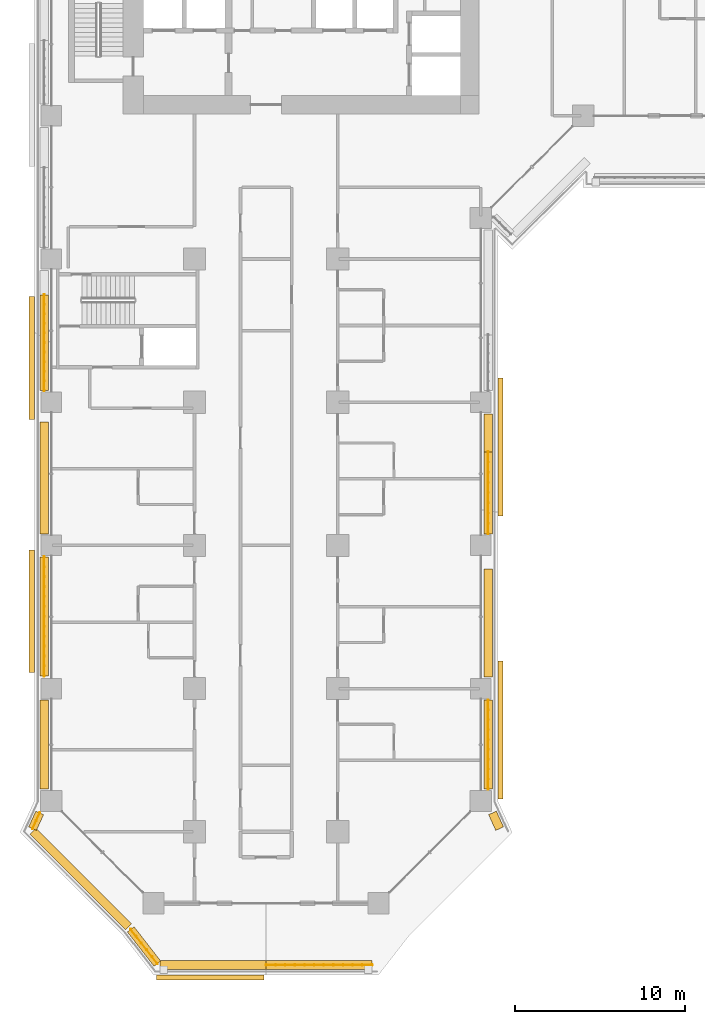
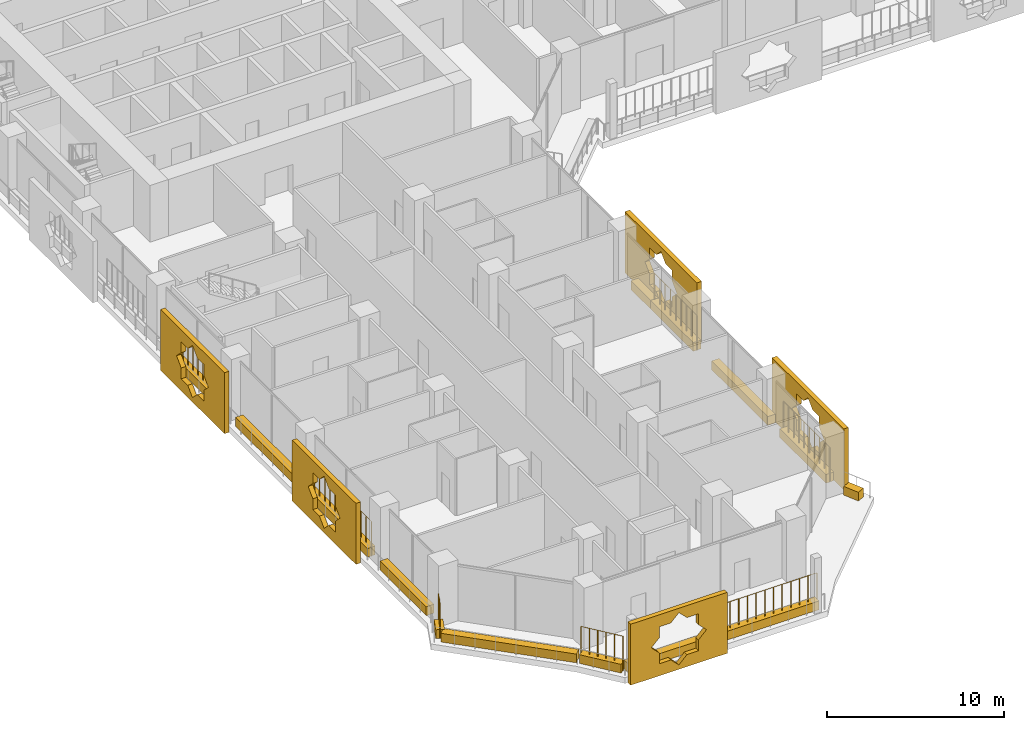
# One storey, part 22 of 29: 19 coverings, 7 railings.
"""IFC4 building model written with IfcOpenShell, lengths in metres."""

from ifc_helpers import new_model, si_unit, direction, frame, origin, origin_2d, place, context, subcontext, project, spatial, polyline, rectangle, circle, outline, extrude, material, material_profile, profile_set, type_object, element, save


model = new_model("IFC4")

# Units and contexts
model_context = context("Model", 3, precision=1e-05, world=origin(), true_north=direction((0.0, 1.0)))
body_context = subcontext(model_context, "Body", "Model", "MODEL_VIEW")
ifc_project = project(units=[si_unit("LENGTHUNIT", "METRE"), si_unit("AREAUNIT", "SQUARE_METRE"), si_unit("VOLUMEUNIT", "CUBIC_METRE"), si_unit("PLANEANGLEUNIT", "RADIAN"), si_unit("MASSUNIT", "GRAM", prefix="KILO")], contexts=[model_context])

# Site, building, storey
site_placement = place(None, origin())
site = spatial("IfcSite", under=ifc_project, at=site_placement, CompositionType="ELEMENT")
building_placement = place(site_placement, origin())
building = spatial("IfcBuilding", under=site, at=building_placement, Name="Kawkab Arch Medical Tower", CompositionType="ELEMENT")
storey_placement = place(building_placement, frame((0.0, 0.0, 64.39990234375)))
storey = spatial("IfcBuildingStorey", under=building, at=storey_placement, Name="L14", CompositionType="ELEMENT", Elevation=64.39990234375)

# Coverings
ifc_material_1 = material(Name="Bronze anodised aluminium mashrabiya panel, eight-point star pattern", Category="aluminium")
ifc_material_profile_1 = material_profile(ifc_material_1, outline(polyline([(-3.14990234375, -2.10009765625), (3.14990234375, -2.10009765625), (3.14990234375, 2.10009765625), (-3.14990234375, 2.10009765625), (-3.14990234375, -2.10009765625)]), holes=[polyline([(1.800048828125, 0.0), (1.272705078125, 0.527099609375), (1.272705078125, 1.272705078125), (0.527099609375, 1.272705078125), (0.0, 1.800048828125), (-0.527099609375, 1.272705078125), (-1.272705078125, 1.272705078125), (-1.272705078125, 0.527099609375), (-1.800048828125, 0.0), (-1.272705078125, -0.527099609375), (-1.272705078125, -1.272705078125), (-0.527099609375, -1.272705078125), (0.0, -1.800048828125), (0.527099609375, -1.272705078125), (1.272705078125, -1.272705078125), (1.272705078125, -0.527099609375), (1.800048828125, 0.0)])]), Name="Mashrabiya panel 6300x4200")
ifc_profile_set_1 = profile_set([ifc_material_profile_1], Name="Bronze anodised aluminium mashrabiya panel, eight-point star pattern")
covering_type_1 = type_object("IfcCoveringType", Name="Mashrabiya panel 6300 x 4200", PredefinedType="USERDEFINED", material=ifc_profile_set_1)
covering_1_placement = place(storey_placement, frame((9.322509765625, -75.60009765625, 1.7001953125), z_axis=(0.0, -1.0, 0.0), x_axis=(1.0, 0.0, 0.0)))
element("IfcCovering", 1, at=covering_1_placement, inside=storey, type_object=covering_type_1, Name="Mashrabiya panel L14.LOG-01-01.1", ObjectType="SCREEN", PredefinedType="USERDEFINED", context=body_context, shape_type="SweptSolid", body=[
    extrude(outline(polyline([(-3.14990234375, -2.10009765625), (3.14990234375, -2.10009765625), (3.14990234375, 2.10009765625), (-3.14990234375, 2.10009765625), (-3.14990234375, -2.10009765625)]), holes=[polyline([(1.800048828125, 0.0), (1.272705078125, 0.527099609375), (1.272705078125, 1.272705078125), (0.527099609375, 1.272705078125), (0.0, 1.800048828125), (-0.527099609375, 1.272705078125), (-1.272705078125, 1.272705078125), (-1.272705078125, 0.527099609375), (-1.800048828125, 0.0), (-1.272705078125, -0.527099609375), (-1.272705078125, -1.272705078125), (-0.527099609375, -1.272705078125), (0.0, -1.800048828125), (0.527099609375, -1.272705078125), (1.272705078125, -1.272705078125), (1.272705078125, -0.527099609375), (1.800048828125, 0.0)])]), origin(), (0.0, 0.0, 1.0), 0.2998046875),
])
ifc_material_2 = material(Name="Bronze anodised aluminium mashrabiya panel, eight-point star pattern", Category="aluminium")
ifc_material_profile_2 = material_profile(ifc_material_2, outline(polyline([(-3.60009765625, -2.10009765625), (3.60009765625, -2.10009765625), (3.60009765625, 2.10009765625), (-3.60009765625, 2.10009765625), (-3.60009765625, -2.10009765625)]), holes=[polyline([(1.800048828125, 0.0), (1.272705078125, 0.527099609375), (1.272705078125, 1.272705078125), (0.527099609375, 1.272705078125), (0.0, 1.800048828125), (-0.527099609375, 1.272705078125), (-1.272705078125, 1.272705078125), (-1.272705078125, 0.527099609375), (-1.800048828125, 0.0), (-1.272705078125, -0.527099609375), (-1.272705078125, -1.272705078125), (-0.527099609375, -1.272705078125), (0.0, -1.800048828125), (0.527099609375, -1.272705078125), (1.272705078125, -1.272705078125), (1.272705078125, -0.527099609375), (1.800048828125, 0.0)])]), Name="Mashrabiya panel 7200x4200")
ifc_profile_set_2 = profile_set([ifc_material_profile_2], Name="Bronze anodised aluminium mashrabiya panel, eight-point star pattern")
covering_type_2 = type_object("IfcCoveringType", Name="Mashrabiya panel 7200 x 4200", PredefinedType="USERDEFINED", material=ifc_profile_set_2)
for number, where, z_axis, x_axis, name in (
    (2, (-1.0, -54.263916015625, 1.7001953125), (-1.0, 0.0, 0.0), (0.0, -1.0, 0.0), "Mashrabiya panel L14.LOG-01-01.2"),
    (3, (-1.0, -39.412841796875, 1.7001953125), (-1.0, 0.0, 0.0), (0.0, -1.0, 0.0), "Mashrabiya panel L14.LOG-01-01.3"),
):
    element("IfcCovering", number, at=place(storey_placement, frame(where, z_axis=z_axis, x_axis=x_axis)), inside=storey, type_object=covering_type_2, Name=name, ObjectType="SCREEN", PredefinedType="USERDEFINED", context=body_context, shape_type="SweptSolid", body=[
        extrude(outline(polyline([(-3.60009765625, -2.10009765625), (3.60009765625, -2.10009765625), (3.60009765625, 2.10009765625), (-3.60009765625, 2.10009765625), (-3.60009765625, -2.10009765625)]), holes=[polyline([(1.800048828125, 0.0), (1.272705078125, 0.527099609375), (1.272705078125, 1.272705078125), (0.527099609375, 1.272705078125), (0.0, 1.800048828125), (-0.527099609375, 1.272705078125), (-1.272705078125, 1.272705078125), (-1.272705078125, 0.527099609375), (-1.800048828125, 0.0), (-1.272705078125, -0.527099609375), (-1.272705078125, -1.272705078125), (-0.527099609375, -1.272705078125), (0.0, -1.800048828125), (0.527099609375, -1.272705078125), (1.272705078125, -1.272705078125), (1.272705078125, -0.527099609375), (1.800048828125, 0.0)])]), origin(), (0.0, 0.0, 1.0), 0.300048828125),
    ])
ifc_material_3 = material(Name="Bronze anodised aluminium mashrabiya panel, eight-point star pattern", Category="aluminium")
ifc_material_profile_3 = material_profile(ifc_material_3, outline(polyline([(-4.050048828125, -2.10009765625), (4.050048828125, -2.10009765625), (4.050048828125, 2.10009765625), (-4.050048828125, 2.10009765625), (-4.050048828125, -2.10009765625)]), holes=[polyline([(1.800048828125, 0.0), (1.272705078125, 0.527099609375), (1.272705078125, 1.272705078125), (0.527099609375, 1.272705078125), (0.0, 1.800048828125), (-0.527099609375, 1.272705078125), (-1.272705078125, 1.272705078125), (-1.272705078125, 0.527099609375), (-1.800048828125, 0.0), (-1.272705078125, -0.527099609375), (-1.272705078125, -1.272705078125), (-0.527099609375, -1.272705078125), (0.0, -1.800048828125), (0.527099609375, -1.272705078125), (1.272705078125, -1.272705078125), (1.272705078125, -0.527099609375), (1.800048828125, 0.0)])]), Name="Mashrabiya panel 8100x4200")
ifc_profile_set_3 = profile_set([ifc_material_profile_3], Name="Bronze anodised aluminium mashrabiya panel, eight-point star pattern")
covering_type_3 = type_object("IfcCoveringType", Name="Mashrabiya panel 8100 x 4200", PredefinedType="USERDEFINED", material=ifc_profile_set_3)
for number, where, z_axis, x_axis, name in (
    (4, (26.199951171875, -44.639892578125, 1.7001953125), (1.0, 0.0, 0.0), (0.0, 1.0, 0.0), "Mashrabiya panel L14.LOG-01-01.14"),
    (5, (26.199951171875, -61.229736328125, 1.7001953125), (1.0, 0.0, 0.0), (0.0, 1.0, 0.0), "Mashrabiya panel L14.LOG-01-01.15"),
):
    element("IfcCovering", number, at=place(storey_placement, frame(where, z_axis=z_axis, x_axis=x_axis)), inside=storey, type_object=covering_type_3, Name=name, ObjectType="SCREEN", PredefinedType="USERDEFINED", context=body_context, shape_type="SweptSolid", body=[
        extrude(outline(polyline([(-4.050048828125, -2.10009765625), (4.050048828125, -2.10009765625), (4.050048828125, 2.10009765625), (-4.050048828125, 2.10009765625), (-4.050048828125, -2.10009765625)]), holes=[polyline([(1.800048828125, 0.0), (1.272705078125, 0.527099609375), (1.272705078125, 1.272705078125), (0.527099609375, 1.272705078125), (0.0, 1.800048828125), (-0.527099609375, 1.272705078125), (-1.272705078125, 1.272705078125), (-1.272705078125, 0.527099609375), (-1.800048828125, 0.0), (-1.272705078125, -0.527099609375), (-1.272705078125, -1.272705078125), (-0.527099609375, -1.272705078125), (0.0, -1.800048828125), (0.527099609375, -1.272705078125), (1.272705078125, -1.272705078125), (1.272705078125, -0.527099609375), (1.800048828125, 0.0)])]), origin(), (0.0, 0.0, 1.0), 0.300048828125),
    ])
ifc_material_4 = material(Name="Planting soil in a precast trough", Category="concrete")
ifc_material_profile_4 = material_profile(ifc_material_4, rectangle(XDim=0.5, YDim=0.60009765625, at=origin_2d()), Name="Trough 500x600")
ifc_profile_set_4 = profile_set([ifc_material_profile_4], Name="Planting soil in a precast trough")
covering_type_4 = type_object("IfcCoveringType", Name="Planter trough 500 x 600", PredefinedType="USERDEFINED", material=ifc_profile_set_4)
covering_2_placement = place(storey_placement, frame((18.81591796875, -75.02001953125, 0.300048828125), z_axis=(-1.0, 0.0, 0.0), x_axis=(0.0, -1.0, 0.0)))
element("IfcCovering", 6, at=covering_2_placement, inside=storey, type_object=covering_type_4, Name="Planter L14.LOG-01-01.1", ObjectType="PLANTER", PredefinedType="USERDEFINED", context=body_context, shape_type="SweptSolid", body=[
    extrude(rectangle(XDim=0.5, YDim=0.60009765625, at=origin_2d()), origin(), (0.0, 0.0, 1.0), 6.2158203125),
])
covering_3_placement = place(storey_placement, frame((12.60009765625, -75.02001953125, 0.300048828125), z_axis=(-1.0, 0.0, 0.0), x_axis=(0.0, -1.0, 0.0)))
element("IfcCovering", 7, at=covering_3_placement, inside=storey, type_object=covering_type_4, Name="Planter L14.LOG-01-01.2", ObjectType="PLANTER", PredefinedType="USERDEFINED", context=body_context, shape_type="SweptSolid", body=[
    extrude(rectangle(XDim=0.5, YDim=0.60009765625, at=origin_2d()), origin(), (0.0, 0.0, 1.0), 6.216064453125),
])
covering_4_placement = place(storey_placement, frame((6.221923828125, -74.94091796875, 0.300048828125), z_axis=(-0.61404021143, 0.789274742246, 0.0), x_axis=(-0.789274742246, -0.61404021143, 0.0)))
element("IfcCovering", 8, at=covering_4_placement, inside=storey, type_object=covering_type_4, Name="Planter L14.LOG-01-01.3", ObjectType="PLANTER", PredefinedType="USERDEFINED", context=body_context, shape_type="SweptSolid", body=[
    extrude(rectangle(XDim=0.5, YDim=0.60009765625, at=origin_2d()), origin(), (0.0, 0.0, 1.0), 2.54541015625),
])
covering_5_placement = place(storey_placement, frame((4.527099609375, -72.782958984375, 0.300048828125), z_axis=(-0.70712219479, 0.707091367247, 0.0), x_axis=(-0.707091367247, -0.70712219479, 0.0)))
element("IfcCovering", 9, at=covering_5_placement, inside=storey, type_object=covering_type_4, Name="Planter L14.LOG-01-01.4", ObjectType="PLANTER", PredefinedType="USERDEFINED", context=body_context, shape_type="SweptSolid", body=[
    extrude(rectangle(XDim=0.5, YDim=0.60009765625, at=origin_2d()), origin(), (0.0, 0.0, 1.0), 7.919677734375),
])
covering_6_placement = place(storey_placement, frame((-1.10205078125, -67.02099609375, 0.300048828125), z_axis=(0.415071571878, 0.909788761317, 0.0), x_axis=(-0.909788761317, 0.415071571878, 0.0)))
element("IfcCovering", 10, at=covering_6_placement, inside=storey, type_object=covering_type_4, Name="Planter L14.LOG-01-01.5", ObjectType="PLANTER", PredefinedType="USERDEFINED", context=body_context, shape_type="SweptSolid", body=[
    extrude(rectangle(XDim=0.5, YDim=0.60009765625, at=origin_2d()), origin(), (0.0, 0.0, 1.0), 1.0146484375),
])
covering_7_placement = place(storey_placement, frame((-0.419921875, -64.695068359375, 0.300048828125), z_axis=(0.0, 1.0, 0.0), x_axis=(-1.0, 0.0, 0.0)))
element("IfcCovering", 11, at=covering_7_placement, inside=storey, type_object=covering_type_4, Name="Planter L14.LOG-01-01.6", ObjectType="PLANTER", PredefinedType="USERDEFINED", context=body_context, shape_type="SweptSolid", body=[
    extrude(rectangle(XDim=0.5, YDim=0.60009765625, at=origin_2d()), origin(), (0.0, 0.0, 1.0), 5.215087890625),
])
covering_8_placement = place(storey_placement, frame((-0.419921875, -58.069091796875, 0.300048828125), z_axis=(0.0, 1.0, 0.0), x_axis=(-1.0, 0.0, 0.0)))
element("IfcCovering", 12, at=covering_8_placement, inside=storey, type_object=covering_type_4, Name="Planter L14.LOG-01-01.7", ObjectType="PLANTER", PredefinedType="USERDEFINED", context=body_context, shape_type="SweptSolid", body=[
    extrude(rectangle(XDim=0.5, YDim=0.60009765625, at=origin_2d()), origin(), (0.0, 0.0, 1.0), 6.989013671875),
])
covering_9_placement = place(storey_placement, frame((-0.419921875, -49.719970703125, 0.300048828125), z_axis=(0.0, 1.0, 0.0), x_axis=(-1.0, 0.0, 0.0)))
element("IfcCovering", 13, at=covering_9_placement, inside=storey, type_object=covering_type_4, Name="Planter L14.LOG-01-01.8", ObjectType="PLANTER", PredefinedType="USERDEFINED", context=body_context, shape_type="SweptSolid", body=[
    extrude(rectangle(XDim=0.5, YDim=0.60009765625, at=origin_2d()), origin(), (0.0, 0.0, 1.0), 6.56396484375),
])
covering_10_placement = place(storey_placement, frame((-0.419921875, -41.320068359375, 0.300048828125), z_axis=(0.0, 1.0, 0.0), x_axis=(-1.0, 0.0, 0.0)))
element("IfcCovering", 14, at=covering_10_placement, inside=storey, type_object=covering_type_4, Name="Planter L14.LOG-01-01.9", ObjectType="PLANTER", PredefinedType="USERDEFINED", context=body_context, shape_type="SweptSolid", body=[
    extrude(rectangle(XDim=0.5, YDim=0.60009765625, at=origin_2d()), origin(), (0.0, 0.0, 1.0), 5.6201171875),
])
covering_11_placement = place(storey_placement, frame((25.6201171875, -42.679931640625, 0.300048828125), z_axis=(0.0, -1.0, 0.0), x_axis=(1.0, 0.0, 0.0)))
element("IfcCovering", 15, at=covering_11_placement, inside=storey, type_object=covering_type_4, Name="Planter L14.LOG-01-01.46", ObjectType="PLANTER", PredefinedType="USERDEFINED", context=body_context, shape_type="SweptSolid", body=[
    extrude(rectangle(XDim=0.5, YDim=0.60009765625, at=origin_2d()), origin(), (0.0, 0.0, 1.0), 2.240966796875),
])
covering_12_placement = place(storey_placement, frame((25.6201171875, -44.9208984375, 0.300048828125), z_axis=(0.0, -1.0, 0.0), x_axis=(1.0, 0.0, 0.0)))
element("IfcCovering", 16, at=covering_12_placement, inside=storey, type_object=covering_type_4, Name="Planter L14.LOG-01-01.47", ObjectType="PLANTER", PredefinedType="USERDEFINED", context=body_context, shape_type="SweptSolid", body=[
    extrude(rectangle(XDim=0.5, YDim=0.60009765625, at=origin_2d()), origin(), (0.0, 0.0, 1.0), 4.799072265625),
])
covering_13_placement = place(storey_placement, frame((25.6201171875, -51.7890625, 0.300048828125), z_axis=(0.0, -1.0, 0.0), x_axis=(1.0, 0.0, 0.0)))
element("IfcCovering", 17, at=covering_13_placement, inside=storey, type_object=covering_type_4, Name="Planter L14.LOG-01-01.48", ObjectType="PLANTER", PredefinedType="USERDEFINED", context=body_context, shape_type="SweptSolid", body=[
    extrude(rectangle(XDim=0.5, YDim=0.60009765625, at=origin_2d()), origin(), (0.0, 0.0, 1.0), 6.3310546875),
])
covering_14_placement = place(storey_placement, frame((25.6201171875, -59.47998046875, 0.300048828125), z_axis=(0.0, -1.0, 0.0), x_axis=(1.0, 0.0, 0.0)))
element("IfcCovering", 18, at=covering_14_placement, inside=storey, type_object=covering_type_4, Name="Planter L14.LOG-01-01.49", ObjectType="PLANTER", PredefinedType="USERDEFINED", context=body_context, shape_type="SweptSolid", body=[
    extrude(rectangle(XDim=0.5, YDim=0.60009765625, at=origin_2d()), origin(), (0.0, 0.0, 1.0), 5.215087890625),
])
covering_15_placement = place(storey_placement, frame((25.881103515625, -66.097900390625, 0.300048828125), z_axis=(0.414872376122, -0.909879613757, 0.0), x_axis=(0.909879613757, 0.414872376122, 0.0)))
element("IfcCovering", 19, at=covering_15_placement, inside=storey, type_object=covering_type_4, Name="Planter L14.LOG-01-01.50", ObjectType="PLANTER", PredefinedType="USERDEFINED", context=body_context, shape_type="SweptSolid", body=[
    extrude(rectangle(XDim=0.5, YDim=0.60009765625, at=origin_2d()), origin(), (0.0, 0.0, 1.0), 1.014404296875),
])

# Railings
ifc_material_5 = material(Name="Bronze anodised aluminium trellis for climbing plants", Category="aluminium")
railing_type = type_object("IfcRailingType", Name="Planting trellis 2400", PredefinedType="USERDEFINED", material=ifc_material_5)
railing_1_placement = place(storey_placement, frame((18.81591796875, -75.02001953125, 0.0)))
element("IfcRailing", 20, at=railing_1_placement, inside=storey, type_object=railing_type, Name="Planting trellis L14.LOG-01-01.1", ObjectType="TRELLIS", PredefinedType="USERDEFINED", context=body_context, shape_type="SweptSolid", body=[
    extrude(circle(Radius=0.01513671875, at=origin_2d()), frame((0.0, 0.0, 2.384765625), z_axis=(-1.0, 0.0, 0.0), x_axis=(0.0, -1.0, 0.0)), (0.0, 0.0, 1.0), 6.2158203125),
    extrude(circle(Radius=0.030029296875, at=origin_2d()), origin(), (0.0, 0.0, 1.0), 2.369873046875),
    extrude(circle(Radius=0.030029296875, at=origin_2d()), frame((-0.565185546875, 0.0, 0.0)), (0.0, 0.0, 1.0), 2.369873046875),
    extrude(circle(Radius=0.030029296875, at=origin_2d()), frame((-1.130126953125, 0.0, 0.0)), (0.0, 0.0, 1.0), 2.369873046875),
    extrude(circle(Radius=0.030029296875, at=origin_2d()), frame((-1.6953125, 0.0, 0.0)), (0.0, 0.0, 1.0), 2.369873046875),
    extrude(circle(Radius=0.030029296875, at=origin_2d()), frame((-2.26025390625, 0.0, 0.0)), (0.0, 0.0, 1.0), 2.369873046875),
    extrude(circle(Radius=0.030029296875, at=origin_2d()), frame((-2.825439453125, 0.0, 0.0)), (0.0, 0.0, 1.0), 2.369873046875),
    extrude(circle(Radius=0.030029296875, at=origin_2d()), frame((-3.390380859375, 0.0, 0.0)), (0.0, 0.0, 1.0), 2.369873046875),
    extrude(circle(Radius=0.030029296875, at=origin_2d()), frame((-3.95556640625, 0.0, 0.0)), (0.0, 0.0, 1.0), 2.369873046875),
    extrude(circle(Radius=0.030029296875, at=origin_2d()), frame((-4.5205078125, 0.0, 0.0)), (0.0, 0.0, 1.0), 2.369873046875),
    extrude(circle(Radius=0.030029296875, at=origin_2d()), frame((-5.085693359375, 0.0, 0.0)), (0.0, 0.0, 1.0), 2.369873046875),
    extrude(circle(Radius=0.030029296875, at=origin_2d()), frame((-5.650634765625, 0.0, 0.0)), (0.0, 0.0, 1.0), 2.369873046875),
    extrude(circle(Radius=0.030029296875, at=origin_2d()), frame((-6.2158203125, 0.0, 0.0)), (0.0, 0.0, 1.0), 2.369873046875),
])
railing_2_placement = place(storey_placement, frame((6.221923828125, -74.94091796875, 0.0)))
element("IfcRailing", 21, at=railing_2_placement, inside=storey, type_object=railing_type, Name="Planting trellis L14.LOG-01-01.3", ObjectType="TRELLIS", PredefinedType="USERDEFINED", context=body_context, shape_type="SweptSolid", body=[
    extrude(circle(Radius=0.01513671875, at=origin_2d()), frame((0.0, 0.0, 2.384765625), z_axis=(-0.61404021143, 0.789274742246, 0.0), x_axis=(-0.789274742246, -0.61404021143, 0.0)), (0.0, 0.0, 1.0), 2.54541015625),
    extrude(circle(Radius=0.030029296875, at=origin_2d()), origin(), (0.0, 0.0, 1.0), 2.369873046875),
    extrude(circle(Radius=0.030029296875, at=origin_2d()), frame((-0.3125, 0.40185546875, 0.0)), (0.0, 0.0, 1.0), 2.369873046875),
    extrude(circle(Radius=0.030029296875, at=origin_2d()), frame((-0.625244140625, 0.8037109375, 0.0)), (0.0, 0.0, 1.0), 2.369873046875),
    extrude(circle(Radius=0.030029296875, at=origin_2d()), frame((-0.937744140625, 1.205322265625, 0.0)), (0.0, 0.0, 1.0), 2.369873046875),
    extrude(circle(Radius=0.030029296875, at=origin_2d()), frame((-1.25048828125, 1.607177734375, 0.0)), (0.0, 0.0, 1.0), 2.369873046875),
    extrude(circle(Radius=0.030029296875, at=origin_2d()), frame((-1.56298828125, 2.009033203125, 0.0)), (0.0, 0.0, 1.0), 2.369873046875),
])
railing_3_placement = place(storey_placement, frame((-1.10205078125, -67.02099609375, 0.0)))
element("IfcRailing", 22, at=railing_3_placement, inside=storey, type_object=railing_type, Name="Planting trellis L14.LOG-01-01.5", ObjectType="TRELLIS", PredefinedType="USERDEFINED", context=body_context, shape_type="SweptSolid", body=[
    extrude(circle(Radius=0.01513671875, at=origin_2d()), frame((0.0, 0.0, 2.384765625), z_axis=(0.415071571878, 0.909788761317, 0.0), x_axis=(-0.909788761317, 0.415071571878, 0.0)), (0.0, 0.0, 1.0), 1.0146484375),
    extrude(circle(Radius=0.030029296875, at=origin_2d()), origin(), (0.0, 0.0, 1.0), 2.369873046875),
    extrude(circle(Radius=0.030029296875, at=origin_2d()), frame((0.21044921875, 0.46142578125, 0.0)), (0.0, 0.0, 1.0), 2.369873046875),
    extrude(circle(Radius=0.030029296875, at=origin_2d()), frame((0.421142578125, 0.923095703125, 0.0)), (0.0, 0.0, 1.0), 2.369873046875),
])
railing_4_placement = place(storey_placement, frame((-0.419921875, -58.069091796875, 0.0)))
element("IfcRailing", 23, at=railing_4_placement, inside=storey, type_object=railing_type, Name="Planting trellis L14.LOG-01-01.7", ObjectType="TRELLIS", PredefinedType="USERDEFINED", context=body_context, shape_type="SweptSolid", body=[
    extrude(circle(Radius=0.01513671875, at=origin_2d()), frame((0.0, 0.0, 2.384765625), z_axis=(0.0, 1.0, 0.0), x_axis=(-1.0, 0.0, 0.0)), (0.0, 0.0, 1.0), 6.989013671875),
    extrude(circle(Radius=0.030029296875, at=origin_2d()), origin(), (0.0, 0.0, 1.0), 2.369873046875),
    extrude(circle(Radius=0.030029296875, at=origin_2d()), frame((0.0, 0.58251953125, 0.0)), (0.0, 0.0, 1.0), 2.369873046875),
    extrude(circle(Radius=0.030029296875, at=origin_2d()), frame((0.0, 1.164794921875, 0.0)), (0.0, 0.0, 1.0), 2.369873046875),
    extrude(circle(Radius=0.030029296875, at=origin_2d()), frame((0.0, 1.747314453125, 0.0)), (0.0, 0.0, 1.0), 2.369873046875),
    extrude(circle(Radius=0.030029296875, at=origin_2d()), frame((0.0, 2.32958984375, 0.0)), (0.0, 0.0, 1.0), 2.369873046875),
    extrude(circle(Radius=0.030029296875, at=origin_2d()), frame((0.0, 2.912109375, 0.0)), (0.0, 0.0, 1.0), 2.369873046875),
    extrude(circle(Radius=0.030029296875, at=origin_2d()), frame((0.0, 3.49462890625, 0.0)), (0.0, 0.0, 1.0), 2.369873046875),
    extrude(circle(Radius=0.030029296875, at=origin_2d()), frame((0.0, 4.076904296875, 0.0)), (0.0, 0.0, 1.0), 2.369873046875),
    extrude(circle(Radius=0.030029296875, at=origin_2d()), frame((0.0, 4.659423828125, 0.0)), (0.0, 0.0, 1.0), 2.369873046875),
    extrude(circle(Radius=0.030029296875, at=origin_2d()), frame((0.0, 5.24169921875, 0.0)), (0.0, 0.0, 1.0), 2.369873046875),
    extrude(circle(Radius=0.030029296875, at=origin_2d()), frame((0.0, 5.82421875, 0.0)), (0.0, 0.0, 1.0), 2.369873046875),
    extrude(circle(Radius=0.030029296875, at=origin_2d()), frame((0.0, 6.406494140625, 0.0)), (0.0, 0.0, 1.0), 2.369873046875),
    extrude(circle(Radius=0.030029296875, at=origin_2d()), frame((0.0, 6.989013671875, 0.0)), (0.0, 0.0, 1.0), 2.369873046875),
])
railing_5_placement = place(storey_placement, frame((-0.419921875, -41.320068359375, 0.0)))
element("IfcRailing", 24, at=railing_5_placement, inside=storey, type_object=railing_type, Name="Planting trellis L14.LOG-01-01.9", ObjectType="TRELLIS", PredefinedType="USERDEFINED", context=body_context, shape_type="SweptSolid", body=[
    extrude(circle(Radius=0.01513671875, at=origin_2d()), frame((0.0, 0.0, 2.384765625), z_axis=(0.0, 1.0, 0.0), x_axis=(-1.0, 0.0, 0.0)), (0.0, 0.0, 1.0), 5.6201171875),
    extrude(circle(Radius=0.030029296875, at=origin_2d()), origin(), (0.0, 0.0, 1.0), 2.369873046875),
    extrude(circle(Radius=0.030029296875, at=origin_2d()), frame((0.0, 0.56201171875, 0.0)), (0.0, 0.0, 1.0), 2.369873046875),
    extrude(circle(Radius=0.030029296875, at=origin_2d()), frame((0.0, 1.1240234375, 0.0)), (0.0, 0.0, 1.0), 2.369873046875),
    extrude(circle(Radius=0.030029296875, at=origin_2d()), frame((0.0, 1.68603515625, 0.0)), (0.0, 0.0, 1.0), 2.369873046875),
    extrude(circle(Radius=0.030029296875, at=origin_2d()), frame((0.0, 2.248046875, 0.0)), (0.0, 0.0, 1.0), 2.369873046875),
    extrude(circle(Radius=0.030029296875, at=origin_2d()), frame((0.0, 2.81005859375, 0.0)), (0.0, 0.0, 1.0), 2.369873046875),
    extrude(circle(Radius=0.030029296875, at=origin_2d()), frame((0.0, 3.3720703125, 0.0)), (0.0, 0.0, 1.0), 2.369873046875),
    extrude(circle(Radius=0.030029296875, at=origin_2d()), frame((0.0, 3.93408203125, 0.0)), (0.0, 0.0, 1.0), 2.369873046875),
    extrude(circle(Radius=0.030029296875, at=origin_2d()), frame((0.0, 4.49609375, 0.0)), (0.0, 0.0, 1.0), 2.369873046875),
    extrude(circle(Radius=0.030029296875, at=origin_2d()), frame((0.0, 5.05810546875, 0.0)), (0.0, 0.0, 1.0), 2.369873046875),
    extrude(circle(Radius=0.030029296875, at=origin_2d()), frame((0.0, 5.6201171875, 0.0)), (0.0, 0.0, 1.0), 2.369873046875),
])
railing_6_placement = place(storey_placement, frame((25.6201171875, -44.9208984375, 0.0)))
element("IfcRailing", 25, at=railing_6_placement, inside=storey, type_object=railing_type, Name="Planting trellis L14.LOG-01-01.47", ObjectType="TRELLIS", PredefinedType="USERDEFINED", context=body_context, shape_type="SweptSolid", body=[
    extrude(circle(Radius=0.01513671875, at=origin_2d()), frame((0.0, 0.0, 2.384765625), z_axis=(0.0, -1.0, 0.0), x_axis=(1.0, 0.0, 0.0)), (0.0, 0.0, 1.0), 4.799072265625),
    extrude(circle(Radius=0.030029296875, at=origin_2d()), origin(), (0.0, 0.0, 1.0), 2.369873046875),
    extrude(circle(Radius=0.030029296875, at=origin_2d()), frame((0.0, -0.599853515625, 0.0)), (0.0, 0.0, 1.0), 2.369873046875),
    extrude(circle(Radius=0.030029296875, at=origin_2d()), frame((0.0, -1.19970703125, 0.0)), (0.0, 0.0, 1.0), 2.369873046875),
    extrude(circle(Radius=0.030029296875, at=origin_2d()), frame((0.0, -1.799560546875, 0.0)), (0.0, 0.0, 1.0), 2.369873046875),
    extrude(circle(Radius=0.030029296875, at=origin_2d()), frame((0.0, -2.3994140625, 0.0)), (0.0, 0.0, 1.0), 2.369873046875),
    extrude(circle(Radius=0.030029296875, at=origin_2d()), frame((0.0, -2.99951171875, 0.0)), (0.0, 0.0, 1.0), 2.369873046875),
    extrude(circle(Radius=0.030029296875, at=origin_2d()), frame((0.0, -3.599365234375, 0.0)), (0.0, 0.0, 1.0), 2.369873046875),
    extrude(circle(Radius=0.030029296875, at=origin_2d()), frame((0.0, -4.19921875, 0.0)), (0.0, 0.0, 1.0), 2.369873046875),
    extrude(circle(Radius=0.030029296875, at=origin_2d()), frame((0.0, -4.799072265625, 0.0)), (0.0, 0.0, 1.0), 2.369873046875),
])
railing_7_placement = place(storey_placement, frame((25.6201171875, -59.47998046875, 0.0)))
element("IfcRailing", 26, at=railing_7_placement, inside=storey, type_object=railing_type, Name="Planting trellis L14.LOG-01-01.49", ObjectType="TRELLIS", PredefinedType="USERDEFINED", context=body_context, shape_type="SweptSolid", body=[
    extrude(circle(Radius=0.01513671875, at=origin_2d()), frame((0.0, 0.0, 2.384765625), z_axis=(0.0, -1.0, 0.0), x_axis=(1.0, 0.0, 0.0)), (0.0, 0.0, 1.0), 5.215087890625),
    extrude(circle(Radius=0.030029296875, at=origin_2d()), origin(), (0.0, 0.0, 1.0), 2.369873046875),
    extrude(circle(Radius=0.030029296875, at=origin_2d()), frame((0.0, -0.579345703125, 0.0)), (0.0, 0.0, 1.0), 2.369873046875),
    extrude(circle(Radius=0.030029296875, at=origin_2d()), frame((0.0, -1.158935546875, 0.0)), (0.0, 0.0, 1.0), 2.369873046875),
    extrude(circle(Radius=0.030029296875, at=origin_2d()), frame((0.0, -1.73828125, 0.0)), (0.0, 0.0, 1.0), 2.369873046875),
    extrude(circle(Radius=0.030029296875, at=origin_2d()), frame((0.0, -2.31787109375, 0.0)), (0.0, 0.0, 1.0), 2.369873046875),
    extrude(circle(Radius=0.030029296875, at=origin_2d()), frame((0.0, -2.897216796875, 0.0)), (0.0, 0.0, 1.0), 2.369873046875),
    extrude(circle(Radius=0.030029296875, at=origin_2d()), frame((0.0, -3.476806640625, 0.0)), (0.0, 0.0, 1.0), 2.369873046875),
    extrude(circle(Radius=0.030029296875, at=origin_2d()), frame((0.0, -4.05615234375, 0.0)), (0.0, 0.0, 1.0), 2.369873046875),
    extrude(circle(Radius=0.030029296875, at=origin_2d()), frame((0.0, -4.6357421875, 0.0)), (0.0, 0.0, 1.0), 2.369873046875),
    extrude(circle(Radius=0.030029296875, at=origin_2d()), frame((0.0, -5.215087890625, 0.0)), (0.0, 0.0, 1.0), 2.369873046875),
])

save(model, "model.ifc")
